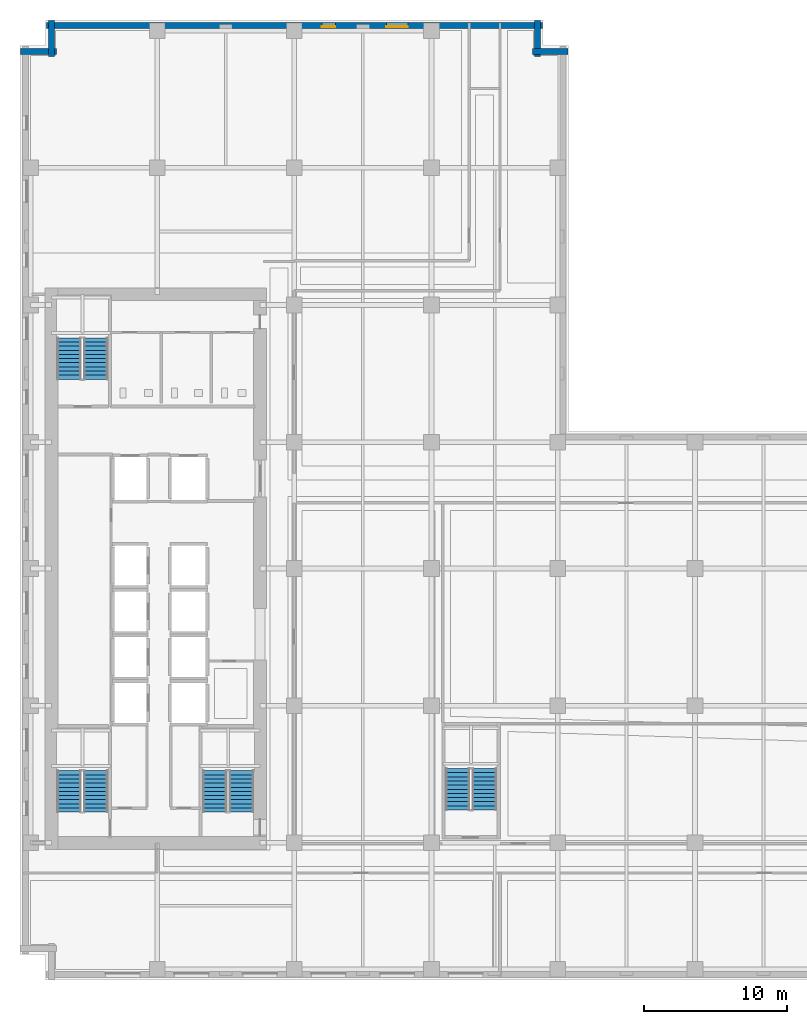
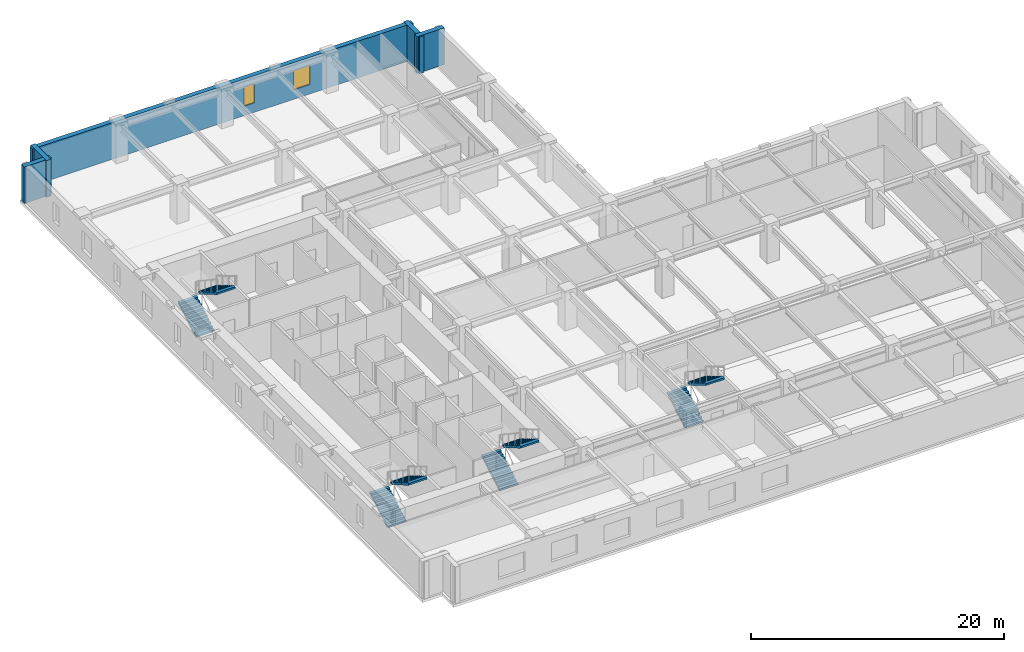
# One storey, part 8 of 15: 8 stair flights, 5 walls, 2 windows, 2 openings, 4 elements without a shape of their own.
"""IFC4 building model written with IfcOpenShell, lengths in metres."""

from ifc_helpers import new_model, si_unit, direction, frame, frame_2d, origin, place, context, subcontext, project, spatial, polyline, rectangle, outline, extrude, material, layer, layer_set, type_object, element, fill, aggregate, save


model = new_model("IFC4")

# Units and contexts
model_context = context("Model", 3, precision=1e-05, world=origin(), true_north=direction((0.0, 1.0)))
body_context = subcontext(model_context, "Body", "Model", "MODEL_VIEW")
ifc_project = project(units=[si_unit("LENGTHUNIT", "METRE"), si_unit("AREAUNIT", "SQUARE_METRE"), si_unit("VOLUMEUNIT", "CUBIC_METRE"), si_unit("PLANEANGLEUNIT", "RADIAN"), si_unit("MASSUNIT", "GRAM", prefix="KILO")], contexts=[model_context])

# Site, building, storey
site_placement = place(None, origin())
site = spatial("IfcSite", under=ifc_project, at=site_placement, CompositionType="ELEMENT")
building_placement = place(site_placement, origin())
building = spatial("IfcBuilding", under=site, at=building_placement, Name="Norrvale University Quadrangle", CompositionType="ELEMENT")
storey_placement = place(building_placement, frame((0.0, 0.0, 88.800048828125)))
storey = spatial("IfcBuildingStorey", under=building, at=storey_placement, Name="L22", CompositionType="ELEMENT", Elevation=88.800048828125)

# Walls
ifc_material_1 = material(Name="Buff Norman Clay Brick Masonry", Category="masonry")
ifc_layer = layer(ifc_material_1, 0.419921875, Name="Buff Norman Clay Brick Masonry")
ifc_layer_set = layer_set([ifc_layer], Name="Buff Norman Clay Brick Masonry")
wall_type = type_object("IfcWallType", Name="Wall Buff Brick 420", PredefinedType="SOLIDWALL", material=ifc_layer_set)
for number, where, z_axis, x_axis, name in (
    (1, (38.360107421875, 65.010009765625, 0.0), (0.0, 0.0, 1.0), (-1.0, 0.0, 0.0), "Exterior Brick Facade Wall L22-09.1"),
    (2, (36.2099609375, 64.659912109375, 0.0), (0.0, 0.0, 1.0), (0.0, 1.0, 0.0), "Exterior Brick Facade Wall L22-10.1"),
):
    element("IfcWall", number, at=place(storey_placement, frame(where, z_axis=z_axis, x_axis=x_axis)), inside=storey, type_object=wall_type, Name=name, PredefinedType="SOLIDWALL", context=body_context, shape_type="SweptSolid", body=[
        extrude(rectangle(XDim=2.5, YDim=0.419921875, at=frame_2d((1.25, 0.0))), origin(), (0.0, 0.0, 1.0), 3.5400390625),
    ])

# Wall, openings, windows
wall_placement = place(storey_placement, frame((36.56005859375, 66.81005859375, 0.0), z_axis=(0.0, 0.0, 1.0), x_axis=(-1.0, 0.0, 0.0)))
wall = element("IfcWall", 3, at=wall_placement, inside=storey, type_object=wall_type, Name="Exterior Brick Facade Wall L22-11.1", PredefinedType="SOLIDWALL", context=body_context, shape_type="SweptSolid", body=[
    extrude(rectangle(XDim=34.719970703125, YDim=0.419921875, at=frame_2d((17.35986328125, 0.0))), origin(), (0.0, 0.0, 1.0), 3.5400390625),
])
opening_1_placement = place(wall_placement, frame((9.409912109375, 0.0, 0.89990234375)))
opening_1 = element("IfcOpeningElement", 4, at=opening_1_placement, cuts=wall, Name="Opening W03", PredefinedType="OPENING", context=body_context, shape_type="SweptSolid", body=[
    extrude(rectangle(XDim=1.5, YDim=1.85009765625, at=frame_2d((0.75, 0.925048828125))), frame((0.0, 0.221923828125, 0.0), z_axis=(0.0, -1.0, 0.0), x_axis=(1.0, 0.0, 0.0)), (0.0, 0.0, 1.0), 0.44384765625),
])
opening_2_placement = place(wall_placement, frame((14.485107421875, 0.0, 0.89990234375)))
opening_2 = element("IfcOpeningElement", 5, at=opening_2_placement, cuts=wall, Name="Opening W04", PredefinedType="OPENING", context=body_context, shape_type="SweptSolid", body=[
    extrude(rectangle(XDim=0.949951171875, YDim=1.85009765625, at=frame_2d((0.47509765625, 0.925048828125))), frame((0.0, 0.221923828125, 0.0), z_axis=(0.0, -1.0, 0.0), x_axis=(1.0, 0.0, 0.0)), (0.0, 0.0, 1.0), 0.44384765625),
])
ifc_material_2 = material(Name="Triple Low-E Argon Glazing", Category="glass")
window_type_1 = type_object("IfcWindowType", Name="Window Narrow Pier 950x2300", PartitioningType="SINGLE_PANEL", PredefinedType="WINDOW", material=ifc_material_2)
window_1_placement = place(opening_2_placement, origin())
window_1 = element("IfcWindow", 6, at=window_1_placement, inside=storey, type_object=window_type_1, Name="Window Narrow Pier 950x2300 WIN-L22-E11-1-02", OverallHeight=1.85009765625, OverallWidth=0.949951171875, PartitioningType="SINGLE_PANEL", PredefinedType="WINDOW", context=body_context, shape_type="SweptSolid", body=[
    extrude(rectangle(XDim=0.949951171875, YDim=1.85009765625, at=frame_2d((0.47509765625, 0.925048828125))), frame((0.0, 0.110107421875, 0.0), z_axis=(0.0, -1.0, 0.0), x_axis=(1.0, 0.0, 0.0)), (0.0, 0.0, 1.0), 0.06005859375),
])
fill(opening_2, window_1)
window_type_2 = type_object("IfcWindowType", Name="Window Studio 1500x2300", PartitioningType="DOUBLE_PANEL_VERTICAL", PredefinedType="WINDOW", material=ifc_material_2)
window_2_placement = place(opening_1_placement, origin())
window_2 = element("IfcWindow", 7, at=window_2_placement, inside=storey, type_object=window_type_2, Name="Window Studio 1500x2300 WIN-L22-E11-1-01", OverallHeight=1.85009765625, OverallWidth=1.5, PartitioningType="DOUBLE_PANEL_VERTICAL", PredefinedType="WINDOW", context=body_context, shape_type="SweptSolid", body=[
    extrude(rectangle(XDim=1.5, YDim=1.85009765625, at=frame_2d((0.75, 0.925048828125))), frame((0.0, 0.110107421875, 0.0), z_axis=(0.0, -1.0, 0.0), x_axis=(1.0, 0.0, 0.0)), (0.0, 0.0, 1.0), 0.06005859375),
])
fill(opening_1, window_2)

# Walls
for number, where, z_axis, x_axis, name in (
    (8, (2.18994140625, 67.159912109375, 0.0), (0.0, 0.0, 1.0), (0.0, -1.0, 0.0), "Exterior Brick Facade Wall L22-12.1"),
    (9, (2.5400390625, 65.010009765625, 0.0), (0.0, 0.0, 1.0), (-1.0, 0.0, 0.0), "Exterior Brick Facade Wall L22-13.1"),
):
    element("IfcWall", number, at=place(storey_placement, frame(where, z_axis=z_axis, x_axis=x_axis)), inside=storey, type_object=wall_type, Name=name, PredefinedType="SOLIDWALL", context=body_context, shape_type="SweptSolid", body=[
        extrude(rectangle(XDim=2.5, YDim=0.419921875, at=frame_2d((1.25, 0.0))), origin(), (0.0, 0.0, 1.0), 3.5400390625),
    ])

# Stair, stair flights
ifc_material_3 = material(Name="Concrete C40/50", Category="concrete")
stair_type = type_object("IfcStairType", Name="Stair Tower Typ 3800", PredefinedType="TWO_STRAIGHT_RUN_STAIR", material=ifc_material_3)
stair_1_placement = place(storey_placement, origin())
stair_1 = element("IfcStair", 10, at=stair_1_placement, inside=storey, type_object=stair_type, Name="Exit Stair ST-01 L22", PredefinedType="TWO_STRAIGHT_RUN_STAIR")
stair_flight_type = type_object("IfcStairFlightType", Name="Flight Typ 1500", PredefinedType="STRAIGHT", material=ifc_material_3)
stair_flight_1_placement = place(storey_placement, frame((3.429931640625, 11.75, 0.0), z_axis=(0.0, 0.0, 1.0), x_axis=(0.0, 1.0, 0.0)))
stair_flight_1 = element("IfcStairFlight", 11, at=stair_flight_1_placement, type_object=stair_flight_type, Name="Exit Stair ST-01 L22 Lower Flight", NumberOfRisers=11, NumberOfTreads=10, PredefinedType="STRAIGHT", RiserHeight=0.172727, TreadLength=0.29, context=body_context, shape_type="SweptSolid", body=[
    extrude(outline(polyline([(0.0, 0.0), (0.0, 0.172607421875), (0.2900390625, 0.172607421875), (0.2900390625, 0.345458984375), (0.580078125, 0.345458984375), (0.580078125, 0.51806640625), (0.8701171875, 0.51806640625), (0.8701171875, 0.69091796875), (1.159912109375, 0.69091796875), (1.159912109375, 0.863525390625), (1.449951171875, 0.863525390625), (1.449951171875, 1.036376953125), (1.739990234375, 1.036376953125), (1.739990234375, 1.208984375), (2.030029296875, 1.208984375), (2.030029296875, 1.3818359375), (2.320068359375, 1.3818359375), (2.320068359375, 1.554443359375), (2.610107421875, 1.554443359375), (2.610107421875, 1.727294921875), (2.89990234375, 1.727294921875), (2.89990234375, 1.89990234375), (2.89990234375, 1.552734375), (0.29296875, 0.0), (0.0, 0.0)])), frame((0.0, 0.83984375, 0.0), z_axis=(0.0, -1.0, 0.0), x_axis=(1.0, 0.0, 0.0)), (0.0, 0.0, 1.0), 1.679931640625),
])
stair_flight_2_placement = place(storey_placement, frame((5.320068359375, 14.64990234375, 1.89990234375), z_axis=(0.0, 0.0, 1.0), x_axis=(0.0, -1.0, 0.0)))
stair_flight_2 = element("IfcStairFlight", 12, at=stair_flight_2_placement, type_object=stair_flight_type, Name="Exit Stair ST-01 L22 Upper Flight", NumberOfRisers=11, NumberOfTreads=10, PredefinedType="STRAIGHT", RiserHeight=0.172727, TreadLength=0.29, context=body_context, shape_type="SweptSolid", body=[
    extrude(outline(polyline([(0.0, 0.0), (0.0, 0.172607421875), (0.2900390625, 0.172607421875), (0.2900390625, 0.345458984375), (0.580078125, 0.345458984375), (0.580078125, 0.51806640625), (0.8701171875, 0.51806640625), (0.8701171875, 0.69091796875), (1.159912109375, 0.69091796875), (1.159912109375, 0.863525390625), (1.449951171875, 0.863525390625), (1.449951171875, 1.036376953125), (1.739990234375, 1.036376953125), (1.739990234375, 1.208984375), (2.030029296875, 1.208984375), (2.030029296875, 1.3818359375), (2.320068359375, 1.3818359375), (2.320068359375, 1.554443359375), (2.610107421875, 1.554443359375), (2.610107421875, 1.727294921875), (2.89990234375, 1.727294921875), (2.89990234375, 1.89990234375), (2.89990234375, 1.552734375), (0.29296875, 0.0), (0.0, 0.0)])), frame((0.0, 0.83984375, 0.0), z_axis=(0.0, -1.0, 0.0), x_axis=(1.0, 0.0, 0.0)), (0.0, 0.0, 1.0), 1.679931640625),
])
aggregate(stair_1, [stair_flight_1, stair_flight_2])

stair_2_placement = place(storey_placement, origin())
stair_2 = element("IfcStair", 13, at=stair_2_placement, inside=storey, type_object=stair_type, Name="Exit Stair ST-02 L22", PredefinedType="TWO_STRAIGHT_RUN_STAIR")
stair_flight_3_placement = place(storey_placement, frame((3.429931640625, 42.050048828125, 0.0), z_axis=(0.0, 0.0, 1.0), x_axis=(0.0, 1.0, 0.0)))
stair_flight_3 = element("IfcStairFlight", 14, at=stair_flight_3_placement, type_object=stair_flight_type, Name="Exit Stair ST-02 L22 Lower Flight", NumberOfRisers=11, NumberOfTreads=10, PredefinedType="STRAIGHT", RiserHeight=0.172727, TreadLength=0.29, context=body_context, shape_type="SweptSolid", body=[
    extrude(outline(polyline([(0.0, 0.0), (0.0, 0.172607421875), (0.2900390625, 0.172607421875), (0.2900390625, 0.345458984375), (0.580078125, 0.345458984375), (0.580078125, 0.51806640625), (0.8701171875, 0.51806640625), (0.8701171875, 0.69091796875), (1.159912109375, 0.69091796875), (1.159912109375, 0.863525390625), (1.449951171875, 0.863525390625), (1.449951171875, 1.036376953125), (1.739990234375, 1.036376953125), (1.739990234375, 1.208984375), (2.030029296875, 1.208984375), (2.030029296875, 1.3818359375), (2.320068359375, 1.3818359375), (2.320068359375, 1.554443359375), (2.610107421875, 1.554443359375), (2.610107421875, 1.727294921875), (2.89990234375, 1.727294921875), (2.89990234375, 1.89990234375), (2.89990234375, 1.552734375), (0.29296875, 0.0), (0.0, 0.0)])), frame((0.0, 0.83984375, 0.0), z_axis=(0.0, -1.0, 0.0), x_axis=(1.0, 0.0, 0.0)), (0.0, 0.0, 1.0), 1.679931640625),
])
stair_flight_4_placement = place(storey_placement, frame((5.320068359375, 44.949951171875, 1.89990234375), z_axis=(0.0, 0.0, 1.0), x_axis=(0.0, -1.0, 0.0)))
stair_flight_4 = element("IfcStairFlight", 15, at=stair_flight_4_placement, type_object=stair_flight_type, Name="Exit Stair ST-02 L22 Upper Flight", NumberOfRisers=11, NumberOfTreads=10, PredefinedType="STRAIGHT", RiserHeight=0.172727, TreadLength=0.29, context=body_context, shape_type="SweptSolid", body=[
    extrude(outline(polyline([(0.0, 0.0), (0.0, 0.172607421875), (0.2900390625, 0.172607421875), (0.2900390625, 0.345458984375), (0.580078125, 0.345458984375), (0.580078125, 0.51806640625), (0.8701171875, 0.51806640625), (0.8701171875, 0.69091796875), (1.159912109375, 0.69091796875), (1.159912109375, 0.863525390625), (1.449951171875, 0.863525390625), (1.449951171875, 1.036376953125), (1.739990234375, 1.036376953125), (1.739990234375, 1.208984375), (2.030029296875, 1.208984375), (2.030029296875, 1.3818359375), (2.320068359375, 1.3818359375), (2.320068359375, 1.554443359375), (2.610107421875, 1.554443359375), (2.610107421875, 1.727294921875), (2.89990234375, 1.727294921875), (2.89990234375, 1.89990234375), (2.89990234375, 1.552734375), (0.29296875, 0.0), (0.0, 0.0)])), frame((0.0, 0.83984375, 0.0), z_axis=(0.0, -1.0, 0.0), x_axis=(1.0, 0.0, 0.0)), (0.0, 0.0, 1.0), 1.679931640625),
])
aggregate(stair_2, [stair_flight_3, stair_flight_4])

stair_3_placement = place(storey_placement, origin())
stair_3 = element("IfcStair", 16, at=stair_3_placement, inside=storey, type_object=stair_type, Name="Exit Stair ST-03 L22", PredefinedType="TWO_STRAIGHT_RUN_STAIR")
stair_flight_5_placement = place(storey_placement, frame((13.6298828125, 11.75, 0.0), z_axis=(0.0, 0.0, 1.0), x_axis=(0.0, 1.0, 0.0)))
stair_flight_5 = element("IfcStairFlight", 17, at=stair_flight_5_placement, type_object=stair_flight_type, Name="Exit Stair ST-03 L22 Lower Flight", NumberOfRisers=11, NumberOfTreads=10, PredefinedType="STRAIGHT", RiserHeight=0.172727, TreadLength=0.29, context=body_context, shape_type="SweptSolid", body=[
    extrude(outline(polyline([(0.0, 0.0), (0.0, 0.172607421875), (0.2900390625, 0.172607421875), (0.2900390625, 0.345458984375), (0.580078125, 0.345458984375), (0.580078125, 0.51806640625), (0.8701171875, 0.51806640625), (0.8701171875, 0.69091796875), (1.159912109375, 0.69091796875), (1.159912109375, 0.863525390625), (1.449951171875, 0.863525390625), (1.449951171875, 1.036376953125), (1.739990234375, 1.036376953125), (1.739990234375, 1.208984375), (2.030029296875, 1.208984375), (2.030029296875, 1.3818359375), (2.320068359375, 1.3818359375), (2.320068359375, 1.554443359375), (2.610107421875, 1.554443359375), (2.610107421875, 1.727294921875), (2.89990234375, 1.727294921875), (2.89990234375, 1.89990234375), (2.89990234375, 1.552734375), (0.29296875, 0.0), (0.0, 0.0)])), frame((0.0, 0.83984375, 0.0), z_axis=(0.0, -1.0, 0.0), x_axis=(1.0, 0.0, 0.0)), (0.0, 0.0, 1.0), 1.679931640625),
])
stair_flight_6_placement = place(storey_placement, frame((15.52001953125, 14.64990234375, 1.89990234375), z_axis=(0.0, 0.0, 1.0), x_axis=(0.0, -1.0, 0.0)))
stair_flight_6 = element("IfcStairFlight", 18, at=stair_flight_6_placement, type_object=stair_flight_type, Name="Exit Stair ST-03 L22 Upper Flight", NumberOfRisers=11, NumberOfTreads=10, PredefinedType="STRAIGHT", RiserHeight=0.172727, TreadLength=0.29, context=body_context, shape_type="SweptSolid", body=[
    extrude(outline(polyline([(0.0, 0.0), (0.0, 0.172607421875), (0.2900390625, 0.172607421875), (0.2900390625, 0.345458984375), (0.580078125, 0.345458984375), (0.580078125, 0.51806640625), (0.8701171875, 0.51806640625), (0.8701171875, 0.69091796875), (1.159912109375, 0.69091796875), (1.159912109375, 0.863525390625), (1.449951171875, 0.863525390625), (1.449951171875, 1.036376953125), (1.739990234375, 1.036376953125), (1.739990234375, 1.208984375), (2.030029296875, 1.208984375), (2.030029296875, 1.3818359375), (2.320068359375, 1.3818359375), (2.320068359375, 1.554443359375), (2.610107421875, 1.554443359375), (2.610107421875, 1.727294921875), (2.89990234375, 1.727294921875), (2.89990234375, 1.89990234375), (2.89990234375, 1.552734375), (0.29296875, 0.0), (0.0, 0.0)])), frame((0.0, 0.83984375, 0.0), z_axis=(0.0, -1.0, 0.0), x_axis=(1.0, 0.0, 0.0)), (0.0, 0.0, 1.0), 1.679931640625),
])
aggregate(stair_3, [stair_flight_5, stair_flight_6])

stair_4_placement = place(storey_placement, origin())
stair_4 = element("IfcStair", 19, at=stair_4_placement, inside=storey, type_object=stair_type, Name="Exit Stair ST-04 L22", PredefinedType="TWO_STRAIGHT_RUN_STAIR")
stair_flight_7_placement = place(storey_placement, frame((30.6298828125, 11.89990234375, 0.0), z_axis=(0.0, 0.0, 1.0), x_axis=(0.0, 1.0, 0.0)))
stair_flight_7 = element("IfcStairFlight", 20, at=stair_flight_7_placement, type_object=stair_flight_type, Name="Exit Stair ST-04 L22 Lower Flight", NumberOfRisers=11, NumberOfTreads=10, PredefinedType="STRAIGHT", RiserHeight=0.172727, TreadLength=0.29, context=body_context, shape_type="SweptSolid", body=[
    extrude(outline(polyline([(0.0, 0.0), (0.0, 0.172607421875), (0.2900390625, 0.172607421875), (0.2900390625, 0.345458984375), (0.580078125, 0.345458984375), (0.580078125, 0.51806640625), (0.8701171875, 0.51806640625), (0.8701171875, 0.69091796875), (1.159912109375, 0.69091796875), (1.159912109375, 0.863525390625), (1.449951171875, 0.863525390625), (1.449951171875, 1.036376953125), (1.739990234375, 1.036376953125), (1.739990234375, 1.208984375), (2.030029296875, 1.208984375), (2.030029296875, 1.3818359375), (2.320068359375, 1.3818359375), (2.320068359375, 1.554443359375), (2.610107421875, 1.554443359375), (2.610107421875, 1.727294921875), (2.89990234375, 1.727294921875), (2.89990234375, 1.89990234375), (2.89990234375, 1.552734375), (0.29296875, 0.0), (0.0, 0.0)])), frame((0.0, 0.83984375, 0.0), z_axis=(0.0, -1.0, 0.0), x_axis=(1.0, 0.0, 0.0)), (0.0, 0.0, 1.0), 1.679931640625),
])
stair_flight_8_placement = place(storey_placement, frame((32.52001953125, 14.800048828125, 1.89990234375), z_axis=(0.0, 0.0, 1.0), x_axis=(0.0, -1.0, 0.0)))
stair_flight_8 = element("IfcStairFlight", 21, at=stair_flight_8_placement, type_object=stair_flight_type, Name="Exit Stair ST-04 L22 Upper Flight", NumberOfRisers=11, NumberOfTreads=10, PredefinedType="STRAIGHT", RiserHeight=0.172727, TreadLength=0.29, context=body_context, shape_type="SweptSolid", body=[
    extrude(outline(polyline([(0.0, 0.0), (0.0, 0.172607421875), (0.2900390625, 0.172607421875), (0.2900390625, 0.345458984375), (0.580078125, 0.345458984375), (0.580078125, 0.51806640625), (0.8701171875, 0.51806640625), (0.8701171875, 0.69091796875), (1.159912109375, 0.69091796875), (1.159912109375, 0.863525390625), (1.449951171875, 0.863525390625), (1.449951171875, 1.036376953125), (1.739990234375, 1.036376953125), (1.739990234375, 1.208984375), (2.030029296875, 1.208984375), (2.030029296875, 1.3818359375), (2.320068359375, 1.3818359375), (2.320068359375, 1.554443359375), (2.610107421875, 1.554443359375), (2.610107421875, 1.727294921875), (2.89990234375, 1.727294921875), (2.89990234375, 1.89990234375), (2.89990234375, 1.552734375), (0.29296875, 0.0), (0.0, 0.0)])), frame((0.0, 0.83984375, 0.0), z_axis=(0.0, -1.0, 0.0), x_axis=(1.0, 0.0, 0.0)), (0.0, 0.0, 1.0), 1.679931640625),
])
aggregate(stair_4, [stair_flight_7, stair_flight_8])

save(model, "model.ifc")
